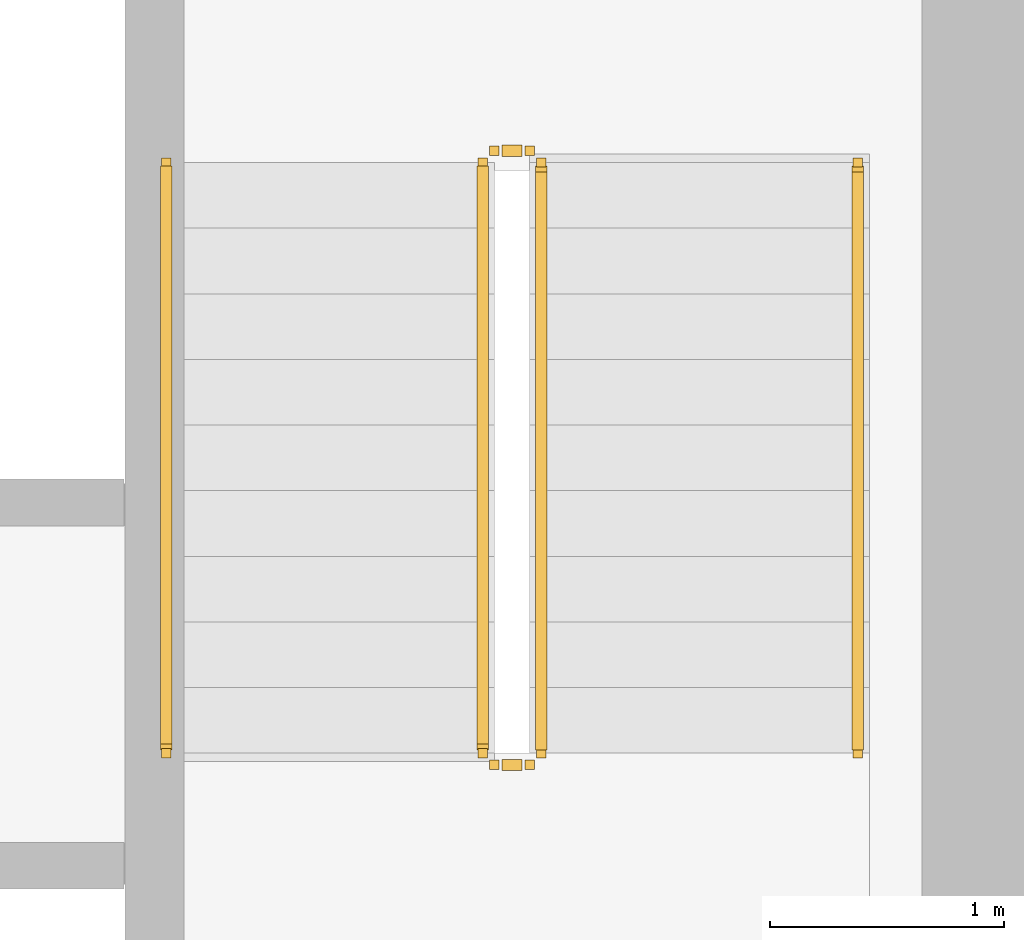
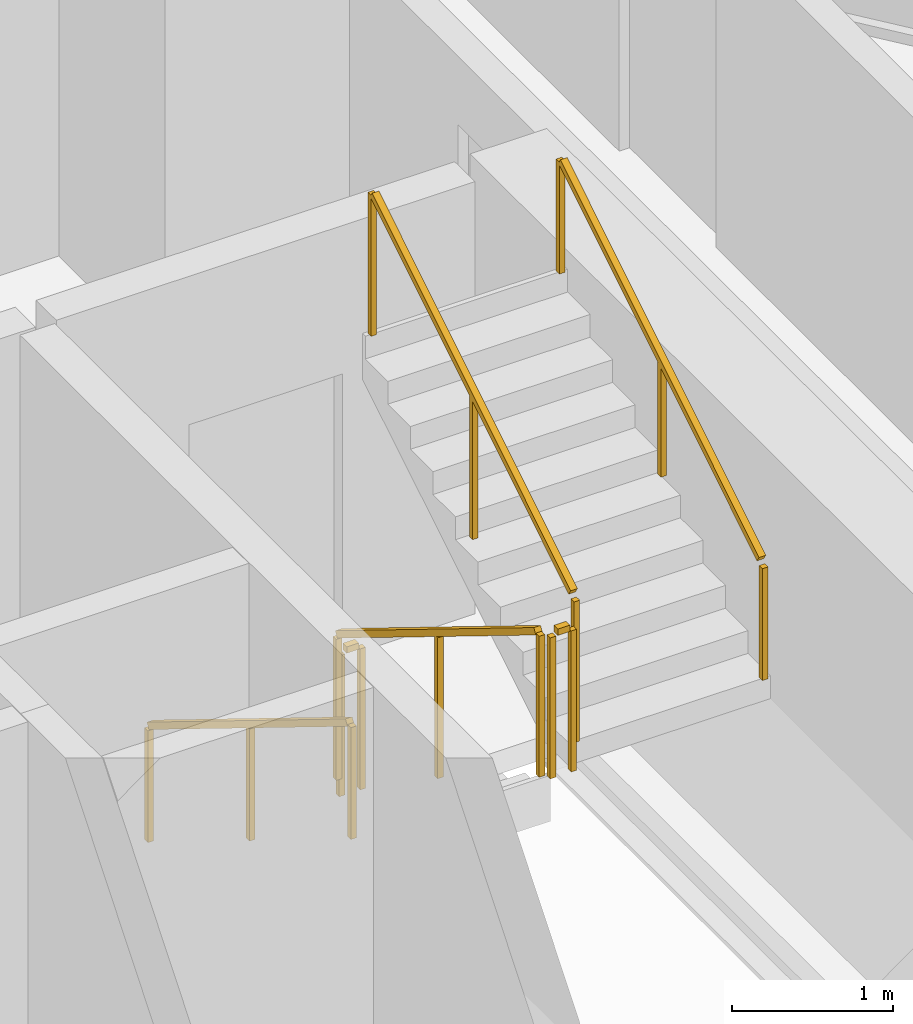
# One storey, part 14 of 15: 6 railings.
"""IFC4 building model written with IfcOpenShell, lengths in metres."""

from ifc_helpers import new_model, si_unit, direction, frame, origin, origin_2d, place, context, subcontext, project, spatial, rectangle, extrude, material, type_object, element, save


model = new_model("IFC4")

# Units and contexts
model_context = context("Model", 3, precision=1e-05, world=origin(), true_north=direction((0.0, 1.0)))
body_context = subcontext(model_context, "Body", "Model", "MODEL_VIEW")
ifc_project = project(units=[si_unit("LENGTHUNIT", "METRE"), si_unit("AREAUNIT", "SQUARE_METRE"), si_unit("VOLUMEUNIT", "CUBIC_METRE"), si_unit("PLANEANGLEUNIT", "RADIAN"), si_unit("MASSUNIT", "GRAM", prefix="KILO")], contexts=[model_context])

# Site, building, storey
site_placement = place(None, origin())
site = spatial("IfcSite", under=ifc_project, at=site_placement, CompositionType="ELEMENT")
building_placement = place(site_placement, origin())
building = spatial("IfcBuilding", under=site, at=building_placement, Name="Tharavind Bronze Gate", CompositionType="ELEMENT")
storey_placement = place(building_placement, frame((0.0, 0.0, 67.300048828125)))
storey = spatial("IfcBuildingStorey", under=building, at=storey_placement, Name="L16", CompositionType="ELEMENT", Elevation=67.300048828125)

# Railings
ifc_material = material(Name="Brushed Bronze Alloy", Category="metal")
railing_type_1 = type_object("IfcRailingType", Name="STAIR BRONZE HANDRAIL 900", PredefinedType="HANDRAIL", material=ifc_material)
railing_1_placement = place(storey_placement, frame((5.39990234375, 2.25, 0.17236328125)))
element("IfcRailing", 1, at=railing_1_placement, inside=storey, type_object=railing_type_1, Name="L16 ST2 stair handrail 1", PredefinedType="HANDRAIL", context=body_context, shape_type="SweptSolid", body=[
    extrude(rectangle(XDim=0.048095703125, YDim=0.048095703125, at=origin_2d()), frame((0.0, -0.02734375, 0.892578125), z_axis=(0.0, -0.851400495292, 0.524516154772), x_axis=(1.0, 0.0, 0.0)), (0.0, 0.0, 1.0), 2.895751953125),
    extrude(rectangle(XDim=0.0400390625, YDim=0.0400390625, at=origin_2d()), origin(), (0.0, 0.0, 1.0), 0.847900390625),
    extrude(rectangle(XDim=0.0400390625, YDim=0.0400390625, at=origin_2d()), frame((0.0, -1.260009765625, 0.7763671875)), (0.0, 0.0, 1.0), 0.847900390625),
    extrude(rectangle(XDim=0.0400390625, YDim=0.0400390625, at=origin_2d()), frame((0.0, -2.52001953125, 1.552490234375)), (0.0, 0.0, 1.0), 0.847900390625),
])
railing_2_placement = place(storey_placement, frame((8.35009765625, -0.27001953125, 1.8974609375)))
element("IfcRailing", 2, at=railing_2_placement, inside=storey, type_object=railing_type_1, Name="L16 ST2 stair handrail 2", PredefinedType="HANDRAIL", context=body_context, shape_type="SweptSolid", body=[
    extrude(rectangle(XDim=0.048095703125, YDim=0.048095703125, at=origin_2d()), frame((0.0, 0.02734375, 0.892578125), z_axis=(0.0, 0.851400495292, 0.524516154772), x_axis=(-1.0, 0.0, 0.0)), (0.0, 0.0, 1.0), 2.895751953125),
    extrude(rectangle(XDim=0.0400390625, YDim=0.0400390625, at=origin_2d()), origin(), (0.0, 0.0, 1.0), 0.847900390625),
    extrude(rectangle(XDim=0.0400390625, YDim=0.0400390625, at=origin_2d()), frame((0.0, 1.260009765625, 0.7763671875)), (0.0, 0.0, 1.0), 0.847900390625),
    extrude(rectangle(XDim=0.0400390625, YDim=0.0400390625, at=origin_2d()), frame((0.0, 2.52001953125, 1.552490234375)), (0.0, 0.0, 1.0), 0.847900390625),
])
railing_type_2 = type_object("IfcRailingType", Name="STAIR WELL GUARD RAILING 1120", PredefinedType="GUARDRAIL", material=ifc_material)
railing_3_placement = place(storey_placement, frame((6.75, 2.25, 0.17236328125)))
element("IfcRailing", 3, at=railing_3_placement, inside=storey, type_object=railing_type_2, Name="L16 ST2 stair guard 1", PredefinedType="GUARDRAIL", context=body_context, shape_type="SweptSolid", body=[
    extrude(rectangle(XDim=0.048095703125, YDim=0.048095703125, at=origin_2d()), frame((0.0, -0.02734375, 1.11279296875), z_axis=(0.0, -0.851400495292, 0.524516154772), x_axis=(1.0, 0.0, 0.0)), (0.0, 0.0, 1.0), 2.895751953125),
    extrude(rectangle(XDim=0.0400390625, YDim=0.0400390625, at=origin_2d()), origin(), (0.0, 0.0, 1.0), 1.068115234375),
    extrude(rectangle(XDim=0.0400390625, YDim=0.0400390625, at=origin_2d()), frame((0.0, -1.260009765625, 0.7763671875)), (0.0, 0.0, 1.0), 1.068115234375),
    extrude(rectangle(XDim=0.0400390625, YDim=0.0400390625, at=origin_2d()), frame((0.0, -2.52001953125, 1.552490234375)), (0.0, 0.0, 1.0), 1.068115234375),
])
railing_4_placement = place(storey_placement, frame((6.800048828125, -0.320068359375, 1.724853515625)))
element("IfcRailing", 4, at=railing_4_placement, inside=storey, type_object=railing_type_2, Name="L16 ST2 stair guard 2", PredefinedType="GUARDRAIL", context=body_context, shape_type="SweptSolid", body=[
    extrude(rectangle(XDim=0.048095703125, YDim=0.048095703125, at=origin_2d()), frame((0.031982421875, 0.0, 1.09619140625), z_axis=(1.0, 0.0, 0.0), x_axis=(0.0, 1.0, 0.0)), (0.0, 0.0, 1.0), 0.0859375),
    extrude(rectangle(XDim=0.0400390625, YDim=0.0400390625, at=origin_2d()), origin(), (0.0, 0.0, 1.0), 1.068115234375),
    extrude(rectangle(XDim=0.0400390625, YDim=0.0400390625, at=origin_2d()), frame((0.14990234375, 0.0, 0.0)), (0.0, 0.0, 1.0), 1.068115234375),
])
railing_5_placement = place(storey_placement, frame((7.0, -0.27001953125, 1.8974609375)))
element("IfcRailing", 5, at=railing_5_placement, inside=storey, type_object=railing_type_2, Name="L16 ST2 stair guard 3", PredefinedType="GUARDRAIL", context=body_context, shape_type="SweptSolid", body=[
    extrude(rectangle(XDim=0.048095703125, YDim=0.048095703125, at=origin_2d()), frame((0.0, 0.02734375, 1.11279296875), z_axis=(0.0, 0.851400495292, 0.524516154772), x_axis=(-1.0, 0.0, 0.0)), (0.0, 0.0, 1.0), 2.895751953125),
    extrude(rectangle(XDim=0.0400390625, YDim=0.0400390625, at=origin_2d()), origin(), (0.0, 0.0, 1.0), 1.068115234375),
    extrude(rectangle(XDim=0.0400390625, YDim=0.0400390625, at=origin_2d()), frame((0.0, 1.260009765625, 0.7763671875)), (0.0, 0.0, 1.0), 1.068115234375),
    extrude(rectangle(XDim=0.0400390625, YDim=0.0400390625, at=origin_2d()), frame((0.0, 2.52001953125, 1.552490234375)), (0.0, 0.0, 1.0), 1.068115234375),
])
railing_6_placement = place(storey_placement, frame((6.800048828125, 2.300048828125, 0.0)))
element("IfcRailing", 6, at=railing_6_placement, inside=storey, type_object=railing_type_2, Name="L16 ST2 stair guard 4", PredefinedType="GUARDRAIL", context=body_context, shape_type="SweptSolid", body=[
    extrude(rectangle(XDim=0.048095703125, YDim=0.048095703125, at=origin_2d()), frame((0.031982421875, 0.0, 1.09619140625), z_axis=(1.0, 0.0, 0.0), x_axis=(0.0, 1.0, 0.0)), (0.0, 0.0, 1.0), 0.0859375),
    extrude(rectangle(XDim=0.0400390625, YDim=0.0400390625, at=origin_2d()), origin(), (0.0, 0.0, 1.0), 1.068115234375),
    extrude(rectangle(XDim=0.0400390625, YDim=0.0400390625, at=origin_2d()), frame((0.14990234375, 0.0, 0.0)), (0.0, 0.0, 1.0), 1.068115234375),
])

save(model, "model.ifc")
